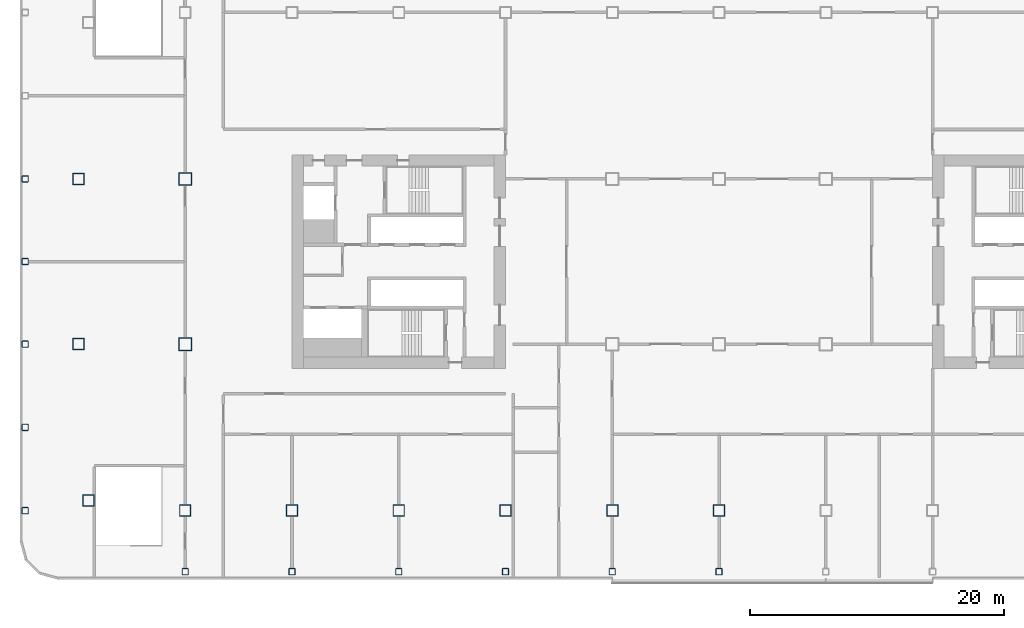
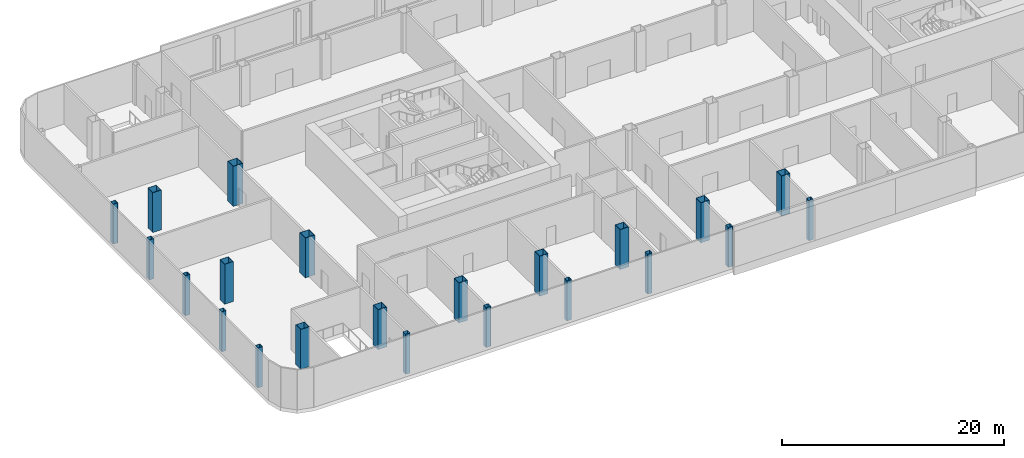
# One storey, part 1 of 53: 22 columns.
"""IFC4 building model written with IfcOpenShell, lengths in metres."""

from ifc_helpers import new_model, si_unit, direction, frame, origin, origin_2d, place, context, subcontext, project, spatial, hollow_rectangle, extrude, material, material_profile, profile_set, type_object, element, save


model = new_model("IFC4")

# Units and contexts
model_context = context("Model", 3, precision=1e-05, world=origin(), true_north=direction((0.0, 1.0)))
body_context = subcontext(model_context, "Body", "Model", "MODEL_VIEW")
ifc_project = project(units=[si_unit("LENGTHUNIT", "METRE"), si_unit("AREAUNIT", "SQUARE_METRE"), si_unit("VOLUMEUNIT", "CUBIC_METRE"), si_unit("PLANEANGLEUNIT", "RADIAN"), si_unit("MASSUNIT", "GRAM", prefix="KILO")], contexts=[model_context])

# Site, building, storey
site_placement = place(None, origin())
site = spatial("IfcSite", under=ifc_project, at=site_placement, CompositionType="ELEMENT")
building_placement = place(site_placement, origin())
building = spatial("IfcBuilding", under=site, at=building_placement, Name="Hakoniwa Tower and Hamabe Station Hall", CompositionType="ELEMENT")
storey_placement = place(building_placement, frame((0.0, 0.0, 15.0)))
storey = spatial("IfcBuildingStorey", under=building, at=storey_placement, Name="L03", CompositionType="ELEMENT", Elevation=15.0)

# Columns
ifc_material_1 = material(Name="Steel BCR295", Category="steel")
ifc_material_profile_1 = material_profile(ifc_material_1, hollow_rectangle(XDim=0.5, YDim=0.5, WallThickness=0.01904296875, InnerFilletRadius=0.028564453125, OuterFilletRadius=0.047607421875, at=origin_2d()), Name="BCR-500x500x19")
ifc_profile_set_1 = profile_set([ifc_material_profile_1], Name="Steel BCR295")
column_type_1 = type_object("IfcColumnType", Name="COLUMN BCR-500x500x19", PredefinedType="COLUMN", material=ifc_profile_set_1)
for number, where, z_axis, x_axis, name in (
    (1, (-42.0, -24.39990234375, 0.0), (0.0, 0.0, 1.0), (1.0, 0.0, 0.0), "Column P-2-RS"),
    (2, (-33.60009765625, -24.39990234375, 0.0), (0.0, 0.0, 1.0), (1.0, 0.0, 0.0), "Column P-3-RS"),
    (3, (-25.199951171875, -24.39990234375, 0.0), (0.0, 0.0, 1.0), (1.0, 0.0, 0.0), "Column P-4-RS"),
    (4, (-16.800048828125, -24.39990234375, 0.0), (0.0, 0.0, 1.0), (1.0, 0.0, 0.0), "Column P-5-RS"),
    (5, (-8.39990234375, -24.39990234375, 0.0), (0.0, 0.0, 1.0), (1.0, 0.0, 0.0), "Column P-6-RS"),
    (6, (0.0, -24.39990234375, 0.0), (0.0, 0.0, 1.0), (1.0, 0.0, 0.0), "Column P-7-RS"),
    (7, (-54.60009765625, -19.60009765625, 0.0), (0.0, 0.0, 1.0), (1.0, 0.0, 0.0), "Column P-RW-A1"),
    (8, (-54.60009765625, -13.050048828125, 0.0), (0.0, 0.0, 1.0), (1.0, 0.0, 0.0), "Column P-RW-B1"),
    (9, (-54.60009765625, -6.5, 0.0), (0.0, 0.0, 1.0), (1.0, 0.0, 0.0), "Column P-RW-C1"),
    (10, (-54.60009765625, 0.0, 0.0), (0.0, 0.0, 1.0), (1.0, 0.0, 0.0), "Column P-RW-D1"),
    (11, (-54.60009765625, 6.5, 0.0), (0.0, 0.0, 1.0), (1.0, 0.0, 0.0), "Column P-RW-E1"),
):
    element("IfcColumn", number, at=place(storey_placement, frame(where, z_axis=z_axis, x_axis=x_axis)), inside=storey, type_object=column_type_1, Name=name, PredefinedType="COLUMN", context=body_context, shape_type="SweptSolid", body=[
        extrude(hollow_rectangle(XDim=0.5, YDim=0.5, WallThickness=0.01904296875, InnerFilletRadius=0.028564453125, OuterFilletRadius=0.047607421875, at=origin_2d()), origin(), (0.0, 0.0, 1.0), 4.39990234375),
    ])
ifc_material_2 = material(Name="Steel SN490C", Category="steel")
ifc_material_profile_2 = material_profile(ifc_material_2, hollow_rectangle(XDim=1.0, YDim=1.0, WallThickness=0.0400390625, at=origin_2d()), Name="BX-1000x1000x40")
ifc_profile_set_2 = profile_set([ifc_material_profile_2], Name="Steel SN490C")
column_type_2 = type_object("IfcColumnType", Name="COLUMN BX-1000x1000x40", PredefinedType="COLUMN", material=ifc_profile_set_2)
for number, where, z_axis, x_axis, name in (
    (12, (-42.0, -6.5, 0.0), (0.0, 0.0, 1.0), (1.0, 0.0, 0.0), "Column P-2-C1"),
    (13, (-42.0, 6.5, 0.0), (0.0, 0.0, 1.0), (1.0, 0.0, 0.0), "Column P-2-E1"),
):
    element("IfcColumn", number, at=place(storey_placement, frame(where, z_axis=z_axis, x_axis=x_axis)), inside=storey, type_object=column_type_2, Name=name, PredefinedType="COLUMN", context=body_context, shape_type="SweptSolid", body=[
        extrude(hollow_rectangle(XDim=1.0, YDim=1.0, WallThickness=0.0400390625, at=origin_2d()), origin(), (0.0, 0.0, 1.0), 4.39990234375),
    ])
ifc_material_3 = material(Name="Steel SN490C", Category="steel")
ifc_material_profile_3 = material_profile(ifc_material_3, hollow_rectangle(XDim=0.89990234375, YDim=0.89990234375, WallThickness=0.035888671875, at=origin_2d()), Name="BX-900x900x36")
ifc_profile_set_3 = profile_set([ifc_material_profile_3], Name="Steel SN490C")
column_type_3 = type_object("IfcColumnType", Name="COLUMN BX-900x900x36", PredefinedType="COLUMN", material=ifc_profile_set_3)
for number, where, z_axis, x_axis, name in (
    (14, (-49.60302734375, -18.802978515625, 0.0), (0.0, 0.0, 1.0), (1.0, 0.0, 0.0), "Column P-1-A1"),
    (15, (-50.39990234375, -6.5, 0.0), (0.0, 0.0, 1.0), (1.0, 0.0, 0.0), "Column P-1-C1"),
    (16, (-50.39990234375, 6.5, 0.0), (0.0, 0.0, 1.0), (1.0, 0.0, 0.0), "Column P-1-E1"),
    (17, (-42.0, -19.60009765625, 0.0), (0.0, 0.0, 1.0), (1.0, 0.0, 0.0), "Column P-2-A1"),
    (18, (-33.60009765625, -19.60009765625, 0.0), (0.0, 0.0, 1.0), (1.0, 0.0, 0.0), "Column P-3-A1"),
    (19, (-25.199951171875, -19.60009765625, 0.0), (0.0, 0.0, 1.0), (1.0, 0.0, 0.0), "Column P-4-A1"),
    (20, (-16.800048828125, -19.60009765625, 0.0), (0.0, 0.0, 1.0), (1.0, 0.0, 0.0), "Column P-5-A1"),
    (21, (-8.39990234375, -19.60009765625, 0.0), (0.0, 0.0, 1.0), (1.0, 0.0, 0.0), "Column P-6-A1"),
    (22, (0.0, -19.60009765625, 0.0), (0.0, 0.0, 1.0), (1.0, 0.0, 0.0), "Column P-7-A1"),
):
    element("IfcColumn", number, at=place(storey_placement, frame(where, z_axis=z_axis, x_axis=x_axis)), inside=storey, type_object=column_type_3, Name=name, PredefinedType="COLUMN", context=body_context, shape_type="SweptSolid", body=[
        extrude(hollow_rectangle(XDim=0.89990234375, YDim=0.89990234375, WallThickness=0.035888671875, at=origin_2d()), origin(), (0.0, 0.0, 1.0), 4.39990234375),
    ])

save(model, "model.ifc")
